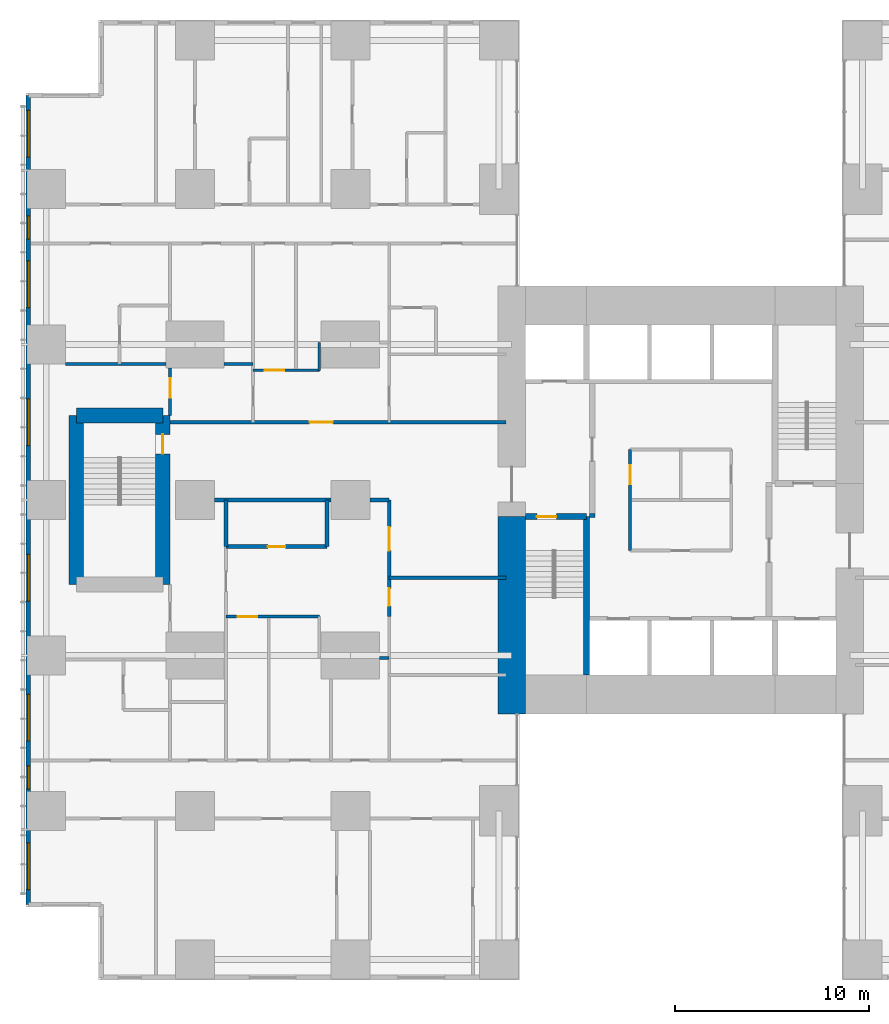
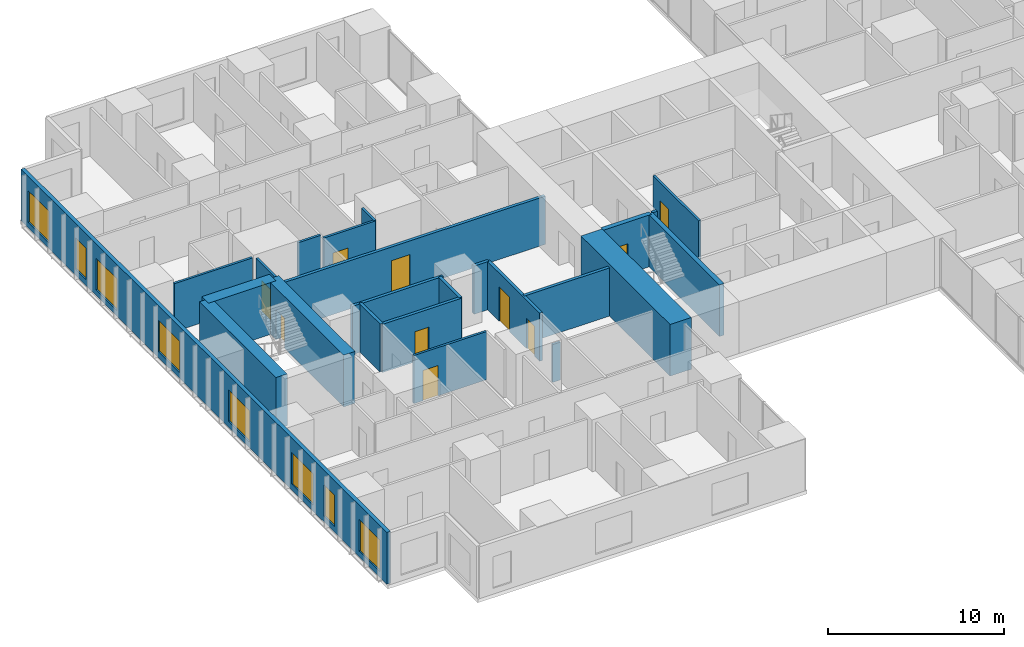
# One storey, part 13 of 20: 24 walls, 10 doors, 8 windows, 18 openings.
"""IFC4 building model written with IfcOpenShell, lengths in metres."""

from ifc_helpers import new_model, si_unit, direction, frame, frame_2d, origin, place, context, subcontext, project, spatial, rectangle, extrude, material, layer, layer_set, type_object, element, fill, save


model = new_model("IFC4")

# Units and contexts
model_context = context("Model", 3, precision=1e-05, world=origin(), true_north=direction((0.0, 1.0)))
body_context = subcontext(model_context, "Body", "Model", "MODEL_VIEW")
ifc_project = project(units=[si_unit("LENGTHUNIT", "METRE"), si_unit("AREAUNIT", "SQUARE_METRE"), si_unit("VOLUMEUNIT", "CUBIC_METRE"), si_unit("PLANEANGLEUNIT", "RADIAN"), si_unit("MASSUNIT", "GRAM", prefix="KILO")], contexts=[model_context])

# Site, building, storey
site_placement = place(None, origin())
site = spatial("IfcSite", under=ifc_project, at=site_placement, CompositionType="ELEMENT")
building_placement = place(site_placement, origin())
building = spatial("IfcBuilding", under=site, at=building_placement, Name="Cleftline Residences", CompositionType="ELEMENT")
storey_placement = place(building_placement, frame((0.0, 0.0, 107.0)))
storey = spatial("IfcBuildingStorey", under=building, at=storey_placement, Name="L27", CompositionType="ELEMENT", Elevation=107.0)

# Walls
ifc_material_1 = material(Name="Concrete B70", Category="concrete")
ifc_layer_1 = layer(ifc_material_1, 1.39990234375)
ifc_layer_set_1 = layer_set([ifc_layer_1], Name="CORE WALL 1400")
wall_type_1 = type_object("IfcWallType", Name="CORE WALL 1400", PredefinedType="SHEAR", material=ifc_layer_set_1)
wall_1_placement = place(storey_placement, frame((24.300048828125, 13.0, 0.0), z_axis=(0.0, 0.0, 1.0), x_axis=(0.0, 1.0, 0.0)))
element("IfcWall", 1, at=wall_1_placement, inside=storey, type_object=wall_type_1, Name="Core wall W0", PredefinedType="SHEAR", context=body_context, shape_type="SweptSolid", body=[
    extrude(rectangle(XDim=10.14990234375, YDim=1.39990234375, at=frame_2d((5.074951171875, 0.0))), origin(), (0.0, 0.0, 1.0), 3.60009765625),
])
ifc_material_2 = material(Name="Concrete B70", Category="concrete")
ifc_layer_2 = layer(ifc_material_2, 0.300048828125)
ifc_layer_set_2 = layer_set([ifc_layer_2], Name="CORE WALL 300")
wall_type_2 = type_object("IfcWallType", Name="CORE WALL 300", PredefinedType="SHEAR", material=ifc_layer_set_2)
wall_2_placement = place(storey_placement, frame((28.14990234375, 15.0, 0.0), z_axis=(0.0, 0.0, 1.0), x_axis=(0.0, 1.0, 0.0)))
element("IfcWall", 2, at=wall_2_placement, inside=storey, type_object=wall_type_2, Name="Core wall SA-E", PredefinedType="SHEAR", context=body_context, shape_type="SweptSolid", body=[
    extrude(rectangle(XDim=8.14990234375, YDim=0.300048828125, at=frame_2d((4.074951171875, 0.0))), origin(), (0.0, 0.0, 1.0), 3.60009765625),
])

# Wall, opening, door
wall_3_placement = place(storey_placement, frame((25.0, 23.14990234375, 0.0), z_axis=(0.0, 0.0, 1.0), x_axis=(1.0, 0.0, 0.0)))
wall_3 = element("IfcWall", 3, at=wall_3_placement, inside=storey, type_object=wall_type_2, Name="Core wall SA-N", PredefinedType="SHEAR", context=body_context, shape_type="SweptSolid", body=[
    extrude(rectangle(XDim=3.14990234375, YDim=0.300048828125, at=frame_2d((1.574951171875, 0.0))), origin(), (0.0, 0.0, 1.0), 3.60009765625),
])
opening_1_placement = place(wall_3_placement, frame((0.60009765625, 0.0, 0.0)))
opening_1 = element("IfcOpeningElement", 4, at=opening_1_placement, cuts=wall_3, Name="Opening D5", PredefinedType="OPENING", context=body_context, shape_type="SweptSolid", body=[
    extrude(rectangle(XDim=1.0, YDim=2.10009765625, at=frame_2d((0.5, 1.050048828125))), frame((0.0, 0.159912109375, 0.0), z_axis=(0.0, -1.0, 0.0), x_axis=(1.0, 0.0, 0.0)), (0.0, 0.0, 1.0), 0.320068359375),
])
ifc_material_3 = material(Name="Steel", Category="steel")
door_type_1 = type_object("IfcDoorType", Name="STAIR DOOR 1000X2100", OperationType="SINGLE_SWING_LEFT", PredefinedType="DOOR", material=ifc_material_3)
door_1_placement = place(opening_1_placement, origin())
door_1 = element("IfcDoor", 5, at=door_1_placement, inside=storey, type_object=door_type_1, Name="Stair A door", OperationType="SINGLE_SWING_RIGHT", OverallHeight=2.10009765625, OverallWidth=1.0, PredefinedType="DOOR", context=body_context, shape_type="SweptSolid", body=[
    extrude(rectangle(XDim=1.0, YDim=2.10009765625, at=frame_2d((0.5, 1.050048828125))), frame((0.0, 0.02490234375, 0.0), z_axis=(0.0, -1.0, 0.0), x_axis=(1.0, 0.0, 0.0)), (0.0, 0.0, 1.0), 0.050048828125),
])
fill(opening_1, door_1)

# Wall, openings, windows
ifc_material_4 = material(Name="Rendered reinforced concrete blockwork", Category="masonry")
ifc_layer_3 = layer(ifc_material_4, 0.25)
ifc_layer_set_3 = layer_set([ifc_layer_3], Name="EXTERNAL WALL 250")
wall_type_3 = type_object("IfcWallType", Name="EXTERNAL WALL 250", PredefinedType="SOLIDWALL", material=ifc_layer_set_3)
wall_4_placement = place(storey_placement, frame((-0.574951171875, 44.824951171875, 0.0), z_axis=(0.0, 0.0, 1.0), x_axis=(0.0, -1.0, 0.0)))
wall_4 = element("IfcWall", 6, at=wall_4_placement, inside=storey, type_object=wall_type_3, Name="External wall", PredefinedType="SOLIDWALL", context=body_context, shape_type="SweptSolid", body=[
    extrude(rectangle(XDim=41.64990234375, YDim=0.25, at=frame_2d((20.824951171875, 0.0))), origin(), (0.0, 0.0, 1.0), 3.60009765625),
])
opening_2_placement = place(wall_4_placement, frame((0.77490234375, 0.0, 0.39990234375)))
opening_2 = element("IfcOpeningElement", 7, at=opening_2_placement, cuts=wall_4, Name="Opening W12", PredefinedType="OPENING", context=body_context, shape_type="SweptSolid", body=[
    extrude(rectangle(XDim=2.39990234375, YDim=2.199951171875, at=frame_2d((1.199951171875, 1.10009765625))), frame((0.0, 0.135009765625, 0.0), z_axis=(0.0, -1.0, 0.0), x_axis=(1.0, 0.0, 0.0)), (0.0, 0.0, 1.0), 0.27001953125),
])
opening_3_placement = place(wall_4_placement, frame((6.199951171875, 0.0, 0.39990234375)))
opening_3 = element("IfcOpeningElement", 8, at=opening_3_placement, cuts=wall_4, Name="Opening W11", PredefinedType="OPENING", context=body_context, shape_type="SweptSolid", body=[
    extrude(rectangle(XDim=1.199951171875, YDim=2.199951171875, at=frame_2d((0.60009765625, 1.10009765625))), frame((0.0, 0.135009765625, 0.0), z_axis=(0.0, -1.0, 0.0), x_axis=(1.0, 0.0, 0.0)), (0.0, 0.0, 1.0), 0.27001953125),
])
opening_4_placement = place(wall_4_placement, frame((8.52490234375, 0.0, 0.39990234375)))
opening_4 = element("IfcOpeningElement", 9, at=opening_4_placement, cuts=wall_4, Name="Opening W12", PredefinedType="OPENING", context=body_context, shape_type="SweptSolid", body=[
    extrude(rectangle(XDim=2.39990234375, YDim=2.199951171875, at=frame_2d((1.199951171875, 1.10009765625))), frame((0.0, 0.135009765625, 0.0), z_axis=(0.0, -1.0, 0.0), x_axis=(1.0, 0.0, 0.0)), (0.0, 0.0, 1.0), 0.27001953125),
])
opening_5_placement = place(wall_4_placement, frame((15.625, 0.0, 0.39990234375)))
opening_5 = element("IfcOpeningElement", 10, at=opening_5_placement, cuts=wall_4, Name="Opening W12", PredefinedType="OPENING", context=body_context, shape_type="SweptSolid", body=[
    extrude(rectangle(XDim=2.39990234375, YDim=2.199951171875, at=frame_2d((1.199951171875, 1.10009765625))), frame((0.0, 0.135009765625, 0.0), z_axis=(0.0, -1.0, 0.0), x_axis=(1.0, 0.0, 0.0)), (0.0, 0.0, 1.0), 0.27001953125),
])
opening_6_placement = place(wall_4_placement, frame((23.625, 0.0, 0.39990234375)))
opening_6 = element("IfcOpeningElement", 11, at=opening_6_placement, cuts=wall_4, Name="Opening W12", PredefinedType="OPENING", context=body_context, shape_type="SweptSolid", body=[
    extrude(rectangle(XDim=2.39990234375, YDim=2.199951171875, at=frame_2d((1.199951171875, 1.10009765625))), frame((0.0, 0.135009765625, 0.0), z_axis=(0.0, -1.0, 0.0), x_axis=(1.0, 0.0, 0.0)), (0.0, 0.0, 1.0), 0.27001953125),
])
opening_7_placement = place(wall_4_placement, frame((30.824951171875, 0.0, 0.39990234375)))
opening_7 = element("IfcOpeningElement", 12, at=opening_7_placement, cuts=wall_4, Name="Opening W12", PredefinedType="OPENING", context=body_context, shape_type="SweptSolid", body=[
    extrude(rectangle(XDim=2.39990234375, YDim=2.199951171875, at=frame_2d((1.199951171875, 1.10009765625))), frame((0.0, 0.135009765625, 0.0), z_axis=(0.0, -1.0, 0.0), x_axis=(1.0, 0.0, 0.0)), (0.0, 0.0, 1.0), 0.27001953125),
])
opening_8_placement = place(wall_4_placement, frame((34.5, 0.0, 0.39990234375)))
opening_8 = element("IfcOpeningElement", 13, at=opening_8_placement, cuts=wall_4, Name="Opening W11", PredefinedType="OPENING", context=body_context, shape_type="SweptSolid", body=[
    extrude(rectangle(XDim=1.199951171875, YDim=2.199951171875, at=frame_2d((0.60009765625, 1.10009765625))), frame((0.0, 0.135009765625, 0.0), z_axis=(0.0, -1.0, 0.0), x_axis=(1.0, 0.0, 0.0)), (0.0, 0.0, 1.0), 0.27001953125),
])
opening_9_placement = place(wall_4_placement, frame((38.47509765625, 0.0, 0.39990234375)))
opening_9 = element("IfcOpeningElement", 14, at=opening_9_placement, cuts=wall_4, Name="Opening W12", PredefinedType="OPENING", context=body_context, shape_type="SweptSolid", body=[
    extrude(rectangle(XDim=2.39990234375, YDim=2.199951171875, at=frame_2d((1.199951171875, 1.10009765625))), frame((0.0, 0.135009765625, 0.0), z_axis=(0.0, -1.0, 0.0), x_axis=(1.0, 0.0, 0.0)), (0.0, 0.0, 1.0), 0.27001953125),
])
ifc_material_5 = material(Name="Aluminium frame, clear double glazing", Category="aluminium")
window_type_1 = type_object("IfcWindowType", Name="WINDOW 1200X2200", PartitioningType="DOUBLE_PANEL_VERTICAL", PredefinedType="WINDOW", material=ifc_material_5)
window_1_placement = place(opening_3_placement, origin())
window_1 = element("IfcWindow", 15, at=window_1_placement, inside=storey, type_object=window_type_1, Name="Window", OverallHeight=2.199951171875, OverallWidth=1.199951171875, PartitioningType="SINGLE_PANEL", PredefinedType="WINDOW", context=body_context, shape_type="SweptSolid", body=[
    extrude(rectangle(XDim=1.199951171875, YDim=2.199951171875, at=frame_2d((0.60009765625, 1.10009765625))), frame((0.0, 0.030029296875, 0.0), z_axis=(0.0, -1.0, 0.0), x_axis=(1.0, 0.0, 0.0)), (0.0, 0.0, 1.0), 0.06005859375),
])
fill(opening_3, window_1)
window_2_placement = place(opening_8_placement, origin())
window_2 = element("IfcWindow", 16, at=window_2_placement, inside=storey, type_object=window_type_1, Name="Window", OverallHeight=2.199951171875, OverallWidth=1.199951171875, PartitioningType="SINGLE_PANEL", PredefinedType="WINDOW", context=body_context, shape_type="SweptSolid", body=[
    extrude(rectangle(XDim=1.199951171875, YDim=2.199951171875, at=frame_2d((0.60009765625, 1.10009765625))), frame((0.0, 0.030029296875, 0.0), z_axis=(0.0, -1.0, 0.0), x_axis=(1.0, 0.0, 0.0)), (0.0, 0.0, 1.0), 0.06005859375),
])
fill(opening_8, window_2)
ifc_material_6 = material(Name="Aluminium frame, clear double glazing", Category="aluminium")
window_type_2 = type_object("IfcWindowType", Name="WINDOW 2400X2200", PartitioningType="DOUBLE_PANEL_VERTICAL", PredefinedType="WINDOW", material=ifc_material_6)
window_3_placement = place(opening_2_placement, origin())
window_3 = element("IfcWindow", 17, at=window_3_placement, inside=storey, type_object=window_type_2, Name="Window", OverallHeight=2.199951171875, OverallWidth=2.39990234375, PartitioningType="SINGLE_PANEL", PredefinedType="WINDOW", context=body_context, shape_type="SweptSolid", body=[
    extrude(rectangle(XDim=2.39990234375, YDim=2.199951171875, at=frame_2d((1.199951171875, 1.10009765625))), frame((0.0, 0.030029296875, 0.0), z_axis=(0.0, -1.0, 0.0), x_axis=(1.0, 0.0, 0.0)), (0.0, 0.0, 1.0), 0.06005859375),
])
fill(opening_2, window_3)
window_4_placement = place(opening_4_placement, origin())
window_4 = element("IfcWindow", 18, at=window_4_placement, inside=storey, type_object=window_type_2, Name="Window", OverallHeight=2.199951171875, OverallWidth=2.39990234375, PartitioningType="SINGLE_PANEL", PredefinedType="WINDOW", context=body_context, shape_type="SweptSolid", body=[
    extrude(rectangle(XDim=2.39990234375, YDim=2.199951171875, at=frame_2d((1.199951171875, 1.10009765625))), frame((0.0, 0.030029296875, 0.0), z_axis=(0.0, -1.0, 0.0), x_axis=(1.0, 0.0, 0.0)), (0.0, 0.0, 1.0), 0.06005859375),
])
fill(opening_4, window_4)
window_5_placement = place(opening_5_placement, origin())
window_5 = element("IfcWindow", 19, at=window_5_placement, inside=storey, type_object=window_type_2, Name="Window", OverallHeight=2.199951171875, OverallWidth=2.39990234375, PartitioningType="SINGLE_PANEL", PredefinedType="WINDOW", context=body_context, shape_type="SweptSolid", body=[
    extrude(rectangle(XDim=2.39990234375, YDim=2.199951171875, at=frame_2d((1.199951171875, 1.10009765625))), frame((0.0, 0.030029296875, 0.0), z_axis=(0.0, -1.0, 0.0), x_axis=(1.0, 0.0, 0.0)), (0.0, 0.0, 1.0), 0.06005859375),
])
fill(opening_5, window_5)
window_6_placement = place(opening_6_placement, origin())
window_6 = element("IfcWindow", 20, at=window_6_placement, inside=storey, type_object=window_type_2, Name="Window", OverallHeight=2.199951171875, OverallWidth=2.39990234375, PartitioningType="SINGLE_PANEL", PredefinedType="WINDOW", context=body_context, shape_type="SweptSolid", body=[
    extrude(rectangle(XDim=2.39990234375, YDim=2.199951171875, at=frame_2d((1.199951171875, 1.10009765625))), frame((0.0, 0.030029296875, 0.0), z_axis=(0.0, -1.0, 0.0), x_axis=(1.0, 0.0, 0.0)), (0.0, 0.0, 1.0), 0.06005859375),
])
fill(opening_6, window_6)
window_7_placement = place(opening_7_placement, origin())
window_7 = element("IfcWindow", 21, at=window_7_placement, inside=storey, type_object=window_type_2, Name="Window", OverallHeight=2.199951171875, OverallWidth=2.39990234375, PartitioningType="SINGLE_PANEL", PredefinedType="WINDOW", context=body_context, shape_type="SweptSolid", body=[
    extrude(rectangle(XDim=2.39990234375, YDim=2.199951171875, at=frame_2d((1.199951171875, 1.10009765625))), frame((0.0, 0.030029296875, 0.0), z_axis=(0.0, -1.0, 0.0), x_axis=(1.0, 0.0, 0.0)), (0.0, 0.0, 1.0), 0.06005859375),
])
fill(opening_7, window_7)
window_8_placement = place(opening_9_placement, origin())
window_8 = element("IfcWindow", 22, at=window_8_placement, inside=storey, type_object=window_type_2, Name="Window", OverallHeight=2.199951171875, OverallWidth=2.39990234375, PartitioningType="SINGLE_PANEL", PredefinedType="WINDOW", context=body_context, shape_type="SweptSolid", body=[
    extrude(rectangle(XDim=2.39990234375, YDim=2.199951171875, at=frame_2d((1.199951171875, 1.10009765625))), frame((0.0, 0.030029296875, 0.0), z_axis=(0.0, -1.0, 0.0), x_axis=(1.0, 0.0, 0.0)), (0.0, 0.0, 1.0), 0.06005859375),
])
fill(opening_9, window_8)

# Wall
ifc_material_7 = material(Name="Concrete blockwork, fire rated", Category="masonry")
ifc_layer_4 = layer(ifc_material_7, 0.199951171875)
ifc_layer_set_4 = layer_set([ifc_layer_4], Name="FIRE WALL 200")
wall_type_4 = type_object("IfcWallType", Name="FIRE WALL 200", PredefinedType="PARTITIONING", material=ifc_layer_set_4)
wall_5_placement = place(storey_placement, frame((18.0, 20.0, 0.0), z_axis=(0.0, 0.0, 1.0), x_axis=(1.0, 0.0, 0.0)))
element("IfcWall", 23, at=wall_5_placement, inside=storey, type_object=wall_type_4, Name="Fire separating wall", PredefinedType="PARTITIONING", context=body_context, shape_type="SweptSolid", body=[
    extrude(rectangle(XDim=6.0, YDim=0.199951171875, at=frame_2d((3.0, 0.0))), origin(), (0.0, 0.0, 1.0), 3.35009765625),
])

# Wall, opening, door
wall_6_placement = place(storey_placement, frame((9.60009765625, 21.60009765625, 0.0), z_axis=(0.0, 0.0, 1.0), x_axis=(1.0, 0.0, 0.0)))
wall_6 = element("IfcWall", 24, at=wall_6_placement, inside=storey, type_object=wall_type_4, Name="Fire separating wall", PredefinedType="PARTITIONING", context=body_context, shape_type="SweptSolid", body=[
    extrude(rectangle(XDim=5.199951171875, YDim=0.199951171875, at=frame_2d((2.60009765625, 0.0))), origin(), (0.0, 0.0, 1.0), 3.35009765625),
])
opening_10_placement = place(wall_6_placement, frame((2.14990234375, 0.0, 0.0)))
opening_10 = element("IfcOpeningElement", 25, at=opening_10_placement, cuts=wall_6, Name="Opening D1F30", PredefinedType="OPENING", context=body_context, shape_type="SweptSolid", body=[
    extrude(rectangle(XDim=0.89990234375, YDim=2.10009765625, at=frame_2d((0.449951171875, 1.050048828125))), frame((0.0, 0.10986328125, 0.0), z_axis=(0.0, -1.0, 0.0), x_axis=(1.0, 0.0, 0.0)), (0.0, 0.0, 1.0), 0.219970703125),
])
ifc_material_8 = material(Name="Timber veneer on solid core", Category="wood")
door_type_2 = type_object("IfcDoorType", Name="DOOR 900X2100 EI 30", OperationType="SINGLE_SWING_LEFT", PredefinedType="DOOR", material=ifc_material_8)
door_2_placement = place(opening_10_placement, origin())
door_2 = element("IfcDoor", 26, at=door_2_placement, inside=storey, type_object=door_type_2, Name="Door to cloakroom wc", OperationType="SINGLE_SWING_LEFT", OverallHeight=2.10009765625, OverallWidth=0.89990234375, PredefinedType="DOOR", context=body_context, shape_type="SweptSolid", body=[
    extrude(rectangle(XDim=0.89990234375, YDim=2.10009765625, at=frame_2d((0.449951171875, 1.050048828125))), frame((0.0, 0.02490234375, 0.0), z_axis=(0.0, -1.0, 0.0), x_axis=(1.0, 0.0, 0.0)), (0.0, 0.0, 1.0), 0.050048828125),
])
fill(opening_10, door_2)

# Walls
wall_7_placement = place(storey_placement, frame((9.0, 24.0, 0.0), z_axis=(0.0, 0.0, 1.0), x_axis=(1.0, 0.0, 0.0)))
element("IfcWall", 27, at=wall_7_placement, inside=storey, type_object=wall_type_4, Name="Fire separating wall", PredefinedType="PARTITIONING", context=body_context, shape_type="SweptSolid", body=[
    extrude(rectangle(XDim=6.0, YDim=0.199951171875, at=frame_2d((3.0, 0.0))), origin(), (0.0, 0.0, 1.0), 3.35009765625),
])
wall_8_placement = place(storey_placement, frame((17.0, 24.0, 0.0), z_axis=(0.0, 0.0, 1.0), x_axis=(1.0, 0.0, 0.0)))
element("IfcWall", 28, at=wall_8_placement, inside=storey, type_object=wall_type_4, Name="Fire separating wall", PredefinedType="PARTITIONING", context=body_context, shape_type="SweptSolid", body=[
    extrude(rectangle(XDim=1.0, YDim=0.199951171875, at=frame_2d((0.5, 0.0))), origin(), (0.0, 0.0, 1.0), 3.35009765625),
])

# Wall, opening, door
wall_9_placement = place(storey_placement, frame((6.72509765625, 28.0, 0.0), z_axis=(0.0, 0.0, 1.0), x_axis=(1.0, 0.0, 0.0)))
wall_9 = element("IfcWall", 29, at=wall_9_placement, inside=storey, type_object=wall_type_4, Name="Fire separating wall", PredefinedType="PARTITIONING", context=body_context, shape_type="SweptSolid", body=[
    extrude(rectangle(XDim=17.27490234375, YDim=0.199951171875, at=frame_2d((8.637451171875, 0.0))), origin(), (0.0, 0.0, 1.0), 3.35009765625),
])
opening_11_placement = place(wall_9_placement, frame((7.175048828125, 0.0, 0.0)))
opening_11 = element("IfcOpeningElement", 30, at=opening_11_placement, cuts=wall_9, Name="Opening D4", PredefinedType="OPENING", context=body_context, shape_type="SweptSolid", body=[
    extrude(rectangle(XDim=1.199951171875, YDim=2.39990234375, at=frame_2d((0.60009765625, 1.199951171875))), frame((0.0, 0.10986328125, 0.0), z_axis=(0.0, -1.0, 0.0), x_axis=(1.0, 0.0, 0.0)), (0.0, 0.0, 1.0), 0.219970703125),
])
ifc_material_9 = material(Name="Timber veneer on solid core", Category="wood")
door_type_3 = type_object("IfcDoorType", Name="APARTMENT ENTRANCE DOOR 1200X2400", OperationType="SINGLE_SWING_RIGHT", PredefinedType="DOOR", material=ifc_material_9)
door_3_placement = place(opening_11_placement, origin())
door_3 = element("IfcDoor", 31, at=door_3_placement, inside=storey, type_object=door_type_3, Name="Door to residence entrance (gallery)", OperationType="SINGLE_SWING_RIGHT", OverallHeight=2.39990234375, OverallWidth=1.199951171875, PredefinedType="DOOR", context=body_context, shape_type="SweptSolid", body=[
    extrude(rectangle(XDim=1.199951171875, YDim=2.39990234375, at=frame_2d((0.60009765625, 1.199951171875))), frame((0.0, 0.02490234375, 0.0), z_axis=(0.0, -1.0, 0.0), x_axis=(1.0, 0.0, 0.0)), (0.0, 0.0, 1.0), 0.050048828125),
])
fill(opening_11, door_3)

# Walls
for number, where, z_axis, x_axis, name in (
    (32, (9.60009765625, 21.60009765625, 0.0), (0.0, 0.0, 1.0), (0.0, 1.0, 0.0), "Fire separating wall"),
    (33, (14.800048828125, 21.60009765625, 0.0), (0.0, 0.0, 1.0), (0.0, 1.0, 0.0), "Fire separating wall"),
):
    element("IfcWall", number, at=place(storey_placement, frame(where, z_axis=z_axis, x_axis=x_axis)), inside=storey, type_object=wall_type_4, Name=name, PredefinedType="PARTITIONING", context=body_context, shape_type="SweptSolid", body=[
        extrude(rectangle(XDim=2.39990234375, YDim=0.199951171875, at=frame_2d((1.199951171875, 0.0))), origin(), (0.0, 0.0, 1.0), 3.35009765625),
    ])

# Wall, openings, doors
wall_10_placement = place(storey_placement, frame((18.0, 18.0, 0.0), z_axis=(0.0, 0.0, 1.0), x_axis=(0.0, 1.0, 0.0)))
wall_10 = element("IfcWall", 34, at=wall_10_placement, inside=storey, type_object=wall_type_4, Name="Fire separating wall", PredefinedType="PARTITIONING", context=body_context, shape_type="SweptSolid", body=[
    extrude(rectangle(XDim=6.0, YDim=0.199951171875, at=frame_2d((3.0, 0.0))), origin(), (0.0, 0.0, 1.0), 3.35009765625),
])
opening_12_placement = place(wall_10_placement, frame((3.39990234375, 0.0, 0.0)))
opening_12 = element("IfcOpeningElement", 35, at=opening_12_placement, cuts=wall_10, Name="Opening D4", PredefinedType="OPENING", context=body_context, shape_type="SweptSolid", body=[
    extrude(rectangle(XDim=1.199951171875, YDim=2.39990234375, at=frame_2d((0.60009765625, 1.199951171875))), frame((0.0, 0.10986328125, 0.0), z_axis=(0.0, -1.0, 0.0), x_axis=(1.0, 0.0, 0.0)), (0.0, 0.0, 1.0), 0.219970703125),
])
opening_13_placement = place(wall_10_placement, frame((0.550048828125, 0.0, 0.0)))
opening_13 = element("IfcOpeningElement", 36, at=opening_13_placement, cuts=wall_10, Name="Opening D1F30", PredefinedType="OPENING", context=body_context, shape_type="SweptSolid", body=[
    extrude(rectangle(XDim=0.89990234375, YDim=2.10009765625, at=frame_2d((0.449951171875, 1.050048828125))), frame((0.0, 0.10986328125, 0.0), z_axis=(0.0, -1.0, 0.0), x_axis=(1.0, 0.0, 0.0)), (0.0, 0.0, 1.0), 0.219970703125),
])
door_4_placement = place(opening_12_placement, origin())
door_4 = element("IfcDoor", 37, at=door_4_placement, inside=storey, type_object=door_type_3, Name="Door to residence entrance foyer", OperationType="SINGLE_SWING_LEFT", OverallHeight=2.39990234375, OverallWidth=1.199951171875, PredefinedType="DOOR", context=body_context, shape_type="SweptSolid", body=[
    extrude(rectangle(XDim=1.199951171875, YDim=2.39990234375, at=frame_2d((0.60009765625, 1.199951171875))), frame((0.0, 0.02490234375, 0.0), z_axis=(0.0, -1.0, 0.0), x_axis=(1.0, 0.0, 0.0)), (0.0, 0.0, 1.0), 0.050048828125),
])
fill(opening_12, door_4)
door_5_placement = place(opening_13_placement, origin())
door_5 = element("IfcDoor", 38, at=door_5_placement, inside=storey, type_object=door_type_2, Name="Door to utility room", OperationType="SINGLE_SWING_RIGHT", OverallHeight=2.10009765625, OverallWidth=0.89990234375, PredefinedType="DOOR", context=body_context, shape_type="SweptSolid", body=[
    extrude(rectangle(XDim=0.89990234375, YDim=2.10009765625, at=frame_2d((0.449951171875, 1.050048828125))), frame((0.0, 0.02490234375, 0.0), z_axis=(0.0, -1.0, 0.0), x_axis=(1.0, 0.0, 0.0)), (0.0, 0.0, 1.0), 0.050048828125),
])
fill(opening_13, door_5)

# Walls
wall_11_placement = place(storey_placement, frame((28.300048828125, 23.199951171875, 0.0), z_axis=(0.0, 0.0, 1.0), x_axis=(1.0, 0.0, 0.0)))
element("IfcWall", 39, at=wall_11_placement, inside=storey, type_object=wall_type_4, Name="Fire separating wall", PredefinedType="PARTITIONING", context=body_context, shape_type="SweptSolid", body=[
    extrude(rectangle(XDim=0.300048828125, YDim=0.199951171875, at=frame_2d((0.14990234375, 0.0))), origin(), (0.0, 0.0, 1.0), 3.60009765625),
])
ifc_material_10 = material(Name="Gypsum board on steel studs", Category="steel")
ifc_layer_5 = layer(ifc_material_10, 0.14990234375)
ifc_layer_set_5 = layer_set([ifc_layer_5], Name="PARTITION 150")
wall_type_5 = type_object("IfcWallType", Name="PARTITION 150", PredefinedType="PARTITIONING", material=ifc_layer_set_5)
wall_12_placement = place(storey_placement, frame((17.5, 15.875, 0.0), z_axis=(0.0, 0.0, 1.0), x_axis=(1.0, 0.0, 0.0)))
element("IfcWall", 40, at=wall_12_placement, inside=storey, type_object=wall_type_5, Name="Partition", PredefinedType="PARTITIONING", context=body_context, shape_type="SweptSolid", body=[
    extrude(rectangle(XDim=0.5, YDim=0.14990234375, at=frame_2d((0.25, 0.0))), origin(), (0.0, 0.0, 1.0), 2.634033203125),
])

# Wall, opening, door
wall_13_placement = place(storey_placement, frame((9.60009765625, 18.0, 0.0), z_axis=(0.0, 0.0, 1.0), x_axis=(1.0, 0.0, 0.0)))
wall_13 = element("IfcWall", 41, at=wall_13_placement, inside=storey, type_object=wall_type_5, Name="Partition", PredefinedType="PARTITIONING", context=body_context, shape_type="SweptSolid", body=[
    extrude(rectangle(XDim=4.7998046875, YDim=0.14990234375, at=frame_2d((2.39990234375, 0.0))), origin(), (0.0, 0.0, 1.0), 3.35009765625),
])
opening_14_placement = place(wall_13_placement, frame((0.60009765625, 0.0, 0.0)))
opening_14 = element("IfcOpeningElement", 42, at=opening_14_placement, cuts=wall_13, Name="Opening D2", PredefinedType="OPENING", context=body_context, shape_type="SweptSolid", body=[
    extrude(rectangle(XDim=1.0, YDim=2.10009765625, at=frame_2d((0.5, 1.050048828125))), frame((0.0, 0.0849609375, 0.0), z_axis=(0.0, -1.0, 0.0), x_axis=(1.0, 0.0, 0.0)), (0.0, 0.0, 1.0), 0.169921875),
])
ifc_material_11 = material(Name="Timber veneer on solid core", Category="wood")
door_type_4 = type_object("IfcDoorType", Name="DOOR 1000X2100", OperationType="SINGLE_SWING_LEFT", PredefinedType="DOOR", material=ifc_material_11)
door_6_placement = place(opening_14_placement, origin())
door_6 = element("IfcDoor", 43, at=door_6_placement, inside=storey, type_object=door_type_4, Name="Door to residence passage", OperationType="SINGLE_SWING_RIGHT", OverallHeight=2.10009765625, OverallWidth=1.0, PredefinedType="DOOR", context=body_context, shape_type="SweptSolid", body=[
    extrude(rectangle(XDim=1.0, YDim=2.10009765625, at=frame_2d((0.5, 1.050048828125))), frame((0.0, 0.02490234375, 0.0), z_axis=(0.0, -1.0, 0.0), x_axis=(1.0, 0.0, 0.0)), (0.0, 0.0, 1.0), 0.050048828125),
])
fill(opening_14, door_6)

wall_14_placement = place(storey_placement, frame((11.0, 30.675048828125, 0.0), z_axis=(0.0, 0.0, 1.0), x_axis=(1.0, 0.0, 0.0)))
wall_14 = element("IfcWall", 44, at=wall_14_placement, inside=storey, type_object=wall_type_5, Name="Partition", PredefinedType="PARTITIONING", context=body_context, shape_type="SweptSolid", body=[
    extrude(rectangle(XDim=3.39990234375, YDim=0.14990234375, at=frame_2d((1.699951171875, 0.0))), origin(), (0.0, 0.0, 1.0), 3.35009765625),
])
opening_15_placement = place(wall_14_placement, frame((0.60009765625, 0.0, 0.0)))
opening_15 = element("IfcOpeningElement", 45, at=opening_15_placement, cuts=wall_14, Name="Opening D2", PredefinedType="OPENING", context=body_context, shape_type="SweptSolid", body=[
    extrude(rectangle(XDim=1.0, YDim=2.10009765625, at=frame_2d((0.5, 1.050048828125))), frame((0.0, 0.0849609375, 0.0), z_axis=(0.0, -1.0, 0.0), x_axis=(1.0, 0.0, 0.0)), (0.0, 0.0, 1.0), 0.169921875),
])
door_7_placement = place(opening_15_placement, origin())
door_7 = element("IfcDoor", 46, at=door_7_placement, inside=storey, type_object=door_type_4, Name="Door to residence passage", OperationType="SINGLE_SWING_RIGHT", OverallHeight=2.10009765625, OverallWidth=1.0, PredefinedType="DOOR", context=body_context, shape_type="SweptSolid", body=[
    extrude(rectangle(XDim=1.0, YDim=2.10009765625, at=frame_2d((0.5, 1.050048828125))), frame((0.0, 0.02490234375, 0.0), z_axis=(0.0, -1.0, 0.0), x_axis=(1.0, 0.0, 0.0)), (0.0, 0.0, 1.0), 0.050048828125),
])
fill(opening_15, door_7)

# Walls
wall_15_placement = place(storey_placement, frame((1.35009765625, 31.0, 0.0), z_axis=(0.0, 0.0, 1.0), x_axis=(1.0, 0.0, 0.0)))
element("IfcWall", 47, at=wall_15_placement, inside=storey, type_object=wall_type_5, Name="Partition", PredefinedType="PARTITIONING", context=body_context, shape_type="SweptSolid", body=[
    extrude(rectangle(XDim=5.14990234375, YDim=0.14990234375, at=frame_2d((2.574951171875, 0.0))), origin(), (0.0, 0.0, 1.0), 3.35009765625),
])
wall_16_placement = place(storey_placement, frame((9.5, 31.0, 0.0), z_axis=(0.0, 0.0, 1.0), x_axis=(1.0, 0.0, 0.0)))
element("IfcWall", 48, at=wall_16_placement, inside=storey, type_object=wall_type_5, Name="Partition", PredefinedType="PARTITIONING", context=body_context, shape_type="SweptSolid", body=[
    extrude(rectangle(XDim=1.5, YDim=0.14990234375, at=frame_2d((0.75, 0.0))), origin(), (0.0, 0.0, 1.0), 3.35009765625),
])

# Wall, opening, door
wall_17_placement = place(storey_placement, frame((6.72509765625, 28.35009765625, 0.0), z_axis=(0.0, 0.0, 1.0), x_axis=(0.0, 1.0, 0.0)))
wall_17 = element("IfcWall", 49, at=wall_17_placement, inside=storey, type_object=wall_type_5, Name="Partition", PredefinedType="PARTITIONING", context=body_context, shape_type="SweptSolid", body=[
    extrude(rectangle(XDim=2.449951171875, YDim=0.14990234375, at=frame_2d((1.22509765625, 0.0))), origin(), (0.0, 0.0, 1.0), 3.35009765625),
])
opening_16_placement = place(wall_17_placement, frame((0.91259765625, 0.0, 0.0)))
opening_16 = element("IfcOpeningElement", 50, at=opening_16_placement, cuts=wall_17, Name="Opening D2", PredefinedType="OPENING", context=body_context, shape_type="SweptSolid", body=[
    extrude(rectangle(XDim=1.0, YDim=2.10009765625, at=frame_2d((0.5, 1.050048828125))), frame((0.0, 0.0849609375, 0.0), z_axis=(0.0, -1.0, 0.0), x_axis=(1.0, 0.0, 0.0)), (0.0, 0.0, 1.0), 0.169921875),
])
door_8_placement = place(opening_16_placement, origin())
door_8 = element("IfcDoor", 51, at=door_8_placement, inside=storey, type_object=door_type_4, Name="Door to altar room", OperationType="SINGLE_SWING_LEFT", OverallHeight=2.10009765625, OverallWidth=1.0, PredefinedType="DOOR", context=body_context, shape_type="SweptSolid", body=[
    extrude(rectangle(XDim=1.0, YDim=2.10009765625, at=frame_2d((0.5, 1.050048828125))), frame((0.0, 0.02490234375, 0.0), z_axis=(0.0, -1.0, 0.0), x_axis=(1.0, 0.0, 0.0)), (0.0, 0.0, 1.0), 0.050048828125),
])
fill(opening_16, door_8)

# Wall
wall_18_placement = place(storey_placement, frame((14.39990234375, 30.675048828125, 0.0), z_axis=(0.0, 0.0, 1.0), x_axis=(0.0, 1.0, 0.0)))
element("IfcWall", 52, at=wall_18_placement, inside=storey, type_object=wall_type_5, Name="Partition", PredefinedType="PARTITIONING", context=body_context, shape_type="SweptSolid", body=[
    extrude(rectangle(XDim=1.425048828125, YDim=0.14990234375, at=frame_2d((0.71240234375, 0.0))), origin(), (0.0, 0.0, 1.0), 3.35009765625),
])

# Wall, opening, door
ifc_material_12 = material(Name="Fire-resisting gypsum board on steel studs", Category="steel")
ifc_layer_6 = layer(ifc_material_12, 0.14990234375)
ifc_layer_set_6 = layer_set([ifc_layer_6], Name="PARTITION 150 EI 60")
wall_type_6 = type_object("IfcWallType", Name="PARTITION 150 EI 60", PredefinedType="PARTITIONING", material=ifc_layer_set_6)
wall_19_placement = place(storey_placement, frame((30.39990234375, 21.39990234375, 0.0), z_axis=(0.0, 0.0, 1.0), x_axis=(0.0, 1.0, 0.0)))
wall_19 = element("IfcWall", 53, at=wall_19_placement, inside=storey, type_object=wall_type_6, Name="Core room partition", PredefinedType="PARTITIONING", context=body_context, shape_type="SweptSolid", body=[
    extrude(rectangle(XDim=5.2001953125, YDim=0.14990234375, at=frame_2d((2.60009765625, 0.0))), origin(), (0.0, 0.0, 1.0), 3.35009765625),
])
opening_17_placement = place(wall_19_placement, frame((3.39990234375, 0.0, 0.0)))
opening_17 = element("IfcOpeningElement", 54, at=opening_17_placement, cuts=wall_19, Name="Opening D2F60", PredefinedType="OPENING", context=body_context, shape_type="SweptSolid", body=[
    extrude(rectangle(XDim=1.0, YDim=2.10009765625, at=frame_2d((0.5, 1.050048828125))), frame((0.0, 0.0849609375, 0.0), z_axis=(0.0, -1.0, 0.0), x_axis=(1.0, 0.0, 0.0)), (0.0, 0.0, 1.0), 0.169921875),
])
ifc_material_13 = material(Name="Timber veneer on solid core", Category="wood")
door_type_5 = type_object("IfcDoorType", Name="DOOR 1000X2100 EI 60", OperationType="SINGLE_SWING_LEFT", PredefinedType="DOOR", material=ifc_material_13)
door_9_placement = place(opening_17_placement, origin())
door_9 = element("IfcDoor", 55, at=door_9_placement, inside=storey, type_object=door_type_5, Name="Door to electrical room", OperationType="SINGLE_SWING_LEFT", OverallHeight=2.10009765625, OverallWidth=1.0, PredefinedType="DOOR", context=body_context, shape_type="SweptSolid", body=[
    extrude(rectangle(XDim=1.0, YDim=2.10009765625, at=frame_2d((0.5, 1.050048828125))), frame((0.0, 0.02490234375, 0.0), z_axis=(0.0, -1.0, 0.0), x_axis=(1.0, 0.0, 0.0)), (0.0, 0.0, 1.0), 0.050048828125),
])
fill(opening_17, door_9)

ifc_material_14 = material(Name="Concrete B70", Category="concrete")
ifc_layer_7 = layer(ifc_material_14, 0.75)
ifc_layer_set_7 = layer_set([ifc_layer_7], Name="SHEAR WALL 750")
wall_type_7 = type_object("IfcWallType", Name="SHEAR WALL 750", PredefinedType="SHEAR", material=ifc_layer_set_7)
wall_20_placement = place(storey_placement, frame((6.35009765625, 19.64990234375, 0.0), z_axis=(0.0, 0.0, 1.0), x_axis=(0.0, 1.0, 0.0)))
wall_20 = element("IfcWall", 56, at=wall_20_placement, inside=storey, type_object=wall_type_7, Name="Wing shear wall", PredefinedType="SHEAR", context=body_context, shape_type="SweptSolid", body=[
    extrude(rectangle(XDim=8.7001953125, YDim=0.75, at=frame_2d((4.35009765625, 0.0))), origin(), (0.0, 0.0, 1.0), 3.60009765625),
])
opening_18_placement = place(wall_20_placement, frame((6.72509765625, 0.0, 0.0)))
opening_18 = element("IfcOpeningElement", 57, at=opening_18_placement, cuts=wall_20, Name="Opening D5", PredefinedType="OPENING", context=body_context, shape_type="SweptSolid", body=[
    extrude(rectangle(XDim=1.0, YDim=2.10009765625, at=frame_2d((0.5, 1.050048828125))), frame((0.0, 0.385009765625, 0.0), z_axis=(0.0, -1.0, 0.0), x_axis=(1.0, 0.0, 0.0)), (0.0, 0.0, 1.0), 0.77001953125),
])
door_10_placement = place(opening_18_placement, origin())
door_10 = element("IfcDoor", 58, at=door_10_placement, inside=storey, type_object=door_type_1, Name="Stair W door", OperationType="SINGLE_SWING_LEFT", OverallHeight=2.10009765625, OverallWidth=1.0, PredefinedType="DOOR", context=body_context, shape_type="SweptSolid", body=[
    extrude(rectangle(XDim=1.0, YDim=2.10009765625, at=frame_2d((0.5, 1.050048828125))), frame((0.0, 0.02490234375, 0.0), z_axis=(0.0, -1.0, 0.0), x_axis=(1.0, 0.0, 0.0)), (0.0, 0.0, 1.0), 0.050048828125),
])
fill(opening_18, door_10)

# Walls
wall_21_placement = place(storey_placement, frame((6.35009765625, 28.35009765625, 0.0), z_axis=(0.0, 0.0, 1.0), x_axis=(-1.0, 0.0, 0.0)))
element("IfcWall", 59, at=wall_21_placement, inside=storey, type_object=wall_type_7, Name="Wing shear wall", PredefinedType="SHEAR", context=body_context, shape_type="SweptSolid", body=[
    extrude(rectangle(XDim=4.4501953125, YDim=0.75, at=frame_2d((2.22509765625, 0.0))), origin(), (0.0, 0.0, 1.0), 3.60009765625),
])
wall_22_placement = place(storey_placement, frame((1.89990234375, 28.35009765625, 0.0), z_axis=(0.0, 0.0, 1.0), x_axis=(0.0, -1.0, 0.0)))
element("IfcWall", 60, at=wall_22_placement, inside=storey, type_object=wall_type_7, Name="Wing shear wall", PredefinedType="SHEAR", context=body_context, shape_type="SweptSolid", body=[
    extrude(rectangle(XDim=8.7001953125, YDim=0.75, at=frame_2d((4.35009765625, 0.0))), origin(), (0.0, 0.0, 1.0), 3.60009765625),
])

save(model, "model.ifc")
